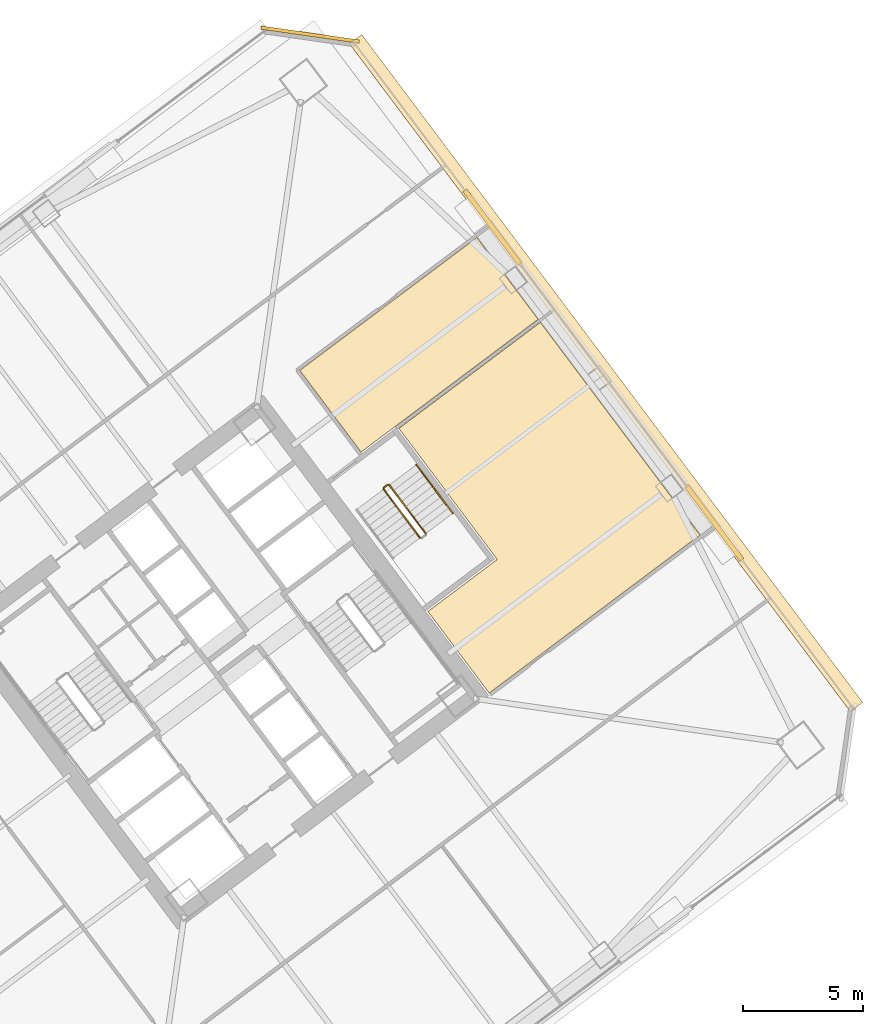
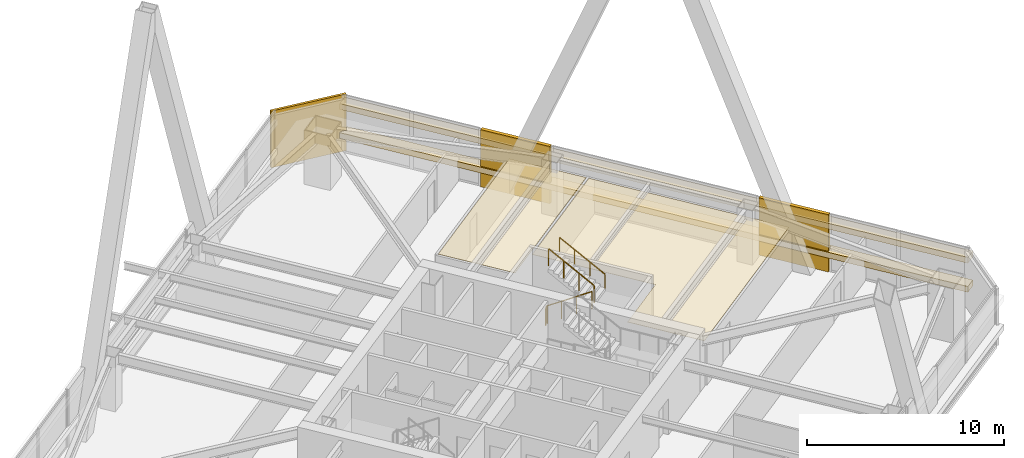
# One storey, part 54 of 54: 7 coverings, 4 railings.
"""IFC4 building model written with IfcOpenShell, lengths in metres."""

from ifc_helpers import new_model, si_unit, direction, frame, origin, origin_2d, place, context, subcontext, project, spatial, polyline, rectangle, outline, extrude, material, layer, layer_set, type_object, element, save


model = new_model("IFC4")

# Units and contexts
model_context = context("Model", 3, precision=1e-05, world=origin(), true_north=direction((0.0, 1.0)))
body_context = subcontext(model_context, "Body", "Model", "MODEL_VIEW")
ifc_project = project(units=[si_unit("LENGTHUNIT", "METRE"), si_unit("AREAUNIT", "SQUARE_METRE"), si_unit("VOLUMEUNIT", "CUBIC_METRE"), si_unit("PLANEANGLEUNIT", "RADIAN"), si_unit("MASSUNIT", "GRAM", prefix="KILO")], contexts=[model_context])

# Site, building, storey
site_placement = place(None, origin())
site = spatial("IfcSite", under=ifc_project, at=site_placement, CompositionType="ELEMENT")
building_placement = place(site_placement, origin())
building = spatial("IfcBuilding", under=site, at=building_placement, Name="Tashvorn Skyway Center", CompositionType="ELEMENT")
storey_placement = place(building_placement, frame((0.0, 0.0, 88.5)))
storey = spatial("IfcBuildingStorey", under=building, at=storey_placement, Name="L23", CompositionType="ELEMENT", Elevation=88.5)

# Coverings
ifc_material_1 = material(Name="Precast concrete C40/50", Category="concrete")
ifc_layer_1 = layer(ifc_material_1, 0.199951171875)
ifc_layer_set_1 = layer_set([ifc_layer_1], Name="Precast concrete C40/50")
covering_type_1 = type_object("IfcCoveringType", Name="COV-BRACE-CLAD", PredefinedType="CLADDING", material=ifc_layer_set_1)
for number, where, z_axis, x_axis, name in (
    (1, (125.2958984375, 50.072021484375, 0.0), (0.0, 0.0, 1.0), (0.600000004945, -0.799999996291, 0.0), "Tower 2 L23 East Unitised Curtain Wall Mega-Brace Cladding Band 1"),
    (2, (134.511962890625, 37.783935546875, 0.0), (0.0, 0.0, 1.0), (0.600000004945, -0.799999996291, 0.0), "Tower 2 L23 East Unitised Curtain Wall Mega-Brace Cladding Band 2"),
):
    element("IfcCovering", number, at=place(storey_placement, frame(where, z_axis=z_axis, x_axis=x_axis)), inside=storey, type_object=covering_type_1, Name=name, PredefinedType="CLADDING", context=body_context, shape_type="SweptSolid", body=[
        extrude(rectangle(XDim=3.840087890625, YDim=0.199951171875, at=origin_2d()), origin(), (0.0, 0.0, 1.0), 3.550048828125),
    ])
ifc_material_2 = material(Name="Mineral-fibre acoustic ceiling tile on suspended grid")
ifc_layer_2 = layer(ifc_material_2, 0.02001953125)
ifc_layer_set_2 = layer_set([ifc_layer_2], Name="Mineral-fibre acoustic ceiling tile on suspended grid")
covering_type_2 = type_object("IfcCoveringType", Name="COV-CEIL-20", PredefinedType="CEILING", material=ifc_layer_set_2)
covering_1_placement = place(storey_placement, frame((0.0, 0.0, 2.68310546875)))
element("IfcCovering", 3, at=covering_1_placement, inside=storey, type_object=covering_type_2, Name="Tower 2 L23 Operations Control Room Acoustic Ceiling", PredefinedType="CEILING", context=body_context, shape_type="SweptSolid", body=[
    extrude(outline(polyline([(119.840087890625, 40.72998046875), (117.2958984375, 44.1220703125), (124.64794921875, 49.635986328125), (127.19189453125, 46.243896484375), (119.840087890625, 40.72998046875)])), origin(), (0.0, 0.0, 1.0), 0.019775390625),
])
covering_2_placement = place(storey_placement, frame((0.0, 0.0, 2.68310546875)))
element("IfcCovering", 4, at=covering_2_placement, inside=storey, type_object=covering_type_2, Name="Tower 2 L23 Public Restroom Acoustic Ceiling", PredefinedType="CEILING", context=body_context, shape_type="SweptSolid", body=[
    extrude(outline(polyline([(125.159912109375, 30.719970703125), (122.615966796875, 34.112060546875), (125.49609375, 36.27197265625), (121.416015625, 41.7119140625), (127.2880859375, 46.115966796875), (131.367919921875, 40.676025390625), (133.912109375, 37.283935546875), (125.159912109375, 30.719970703125)])), origin(), (0.0, 0.0, 1.0), 0.019775390625),
])
ifc_material_3 = material(Name="Perforated ceramic-coated bronze aluminium solar screen", Category="aluminium")
ifc_layer_3 = layer(ifc_material_3, 0.85009765625)
ifc_layer_set_3 = layer_set([ifc_layer_3], Name="Perforated ceramic-coated bronze aluminium solar screen")
covering_type_3 = type_object("IfcCoveringType", Name="COV-SOLAR-BAND", PredefinedType="CLADDING", material=ifc_layer_set_3)
for number, where, z_axis, x_axis, name in (
    (5, (130.01611328125, 44.011962890625, 0.919921875), (0.0, 0.0, 1.0), (0.600000004945, -0.799999996291, 0.0), "L23 Perforated Ceramic-Metal Solar Screen Louvre Band East 1"),
    (6, (130.01611328125, 44.011962890625, 2.7197265625), (0.0, 0.0, 1.0), (0.600000004945, -0.799999996291, 0.0), "L23 Perforated Ceramic-Metal Solar Screen Louvre Band East 2"),
):
    element("IfcCovering", number, at=place(storey_placement, frame(where, z_axis=z_axis, x_axis=x_axis)), inside=storey, type_object=covering_type_3, Name=name, PredefinedType="CLADDING", context=body_context, shape_type="SweptSolid", body=[
        extrude(rectangle(XDim=34.679931640625, YDim=0.639892578125, at=origin_2d()), origin(), (0.0, 0.0, 1.0), 0.360107421875),
    ])
ifc_layer_4 = layer(ifc_material_1, 0.35009765625)
ifc_layer_set_4 = layer_set([ifc_layer_4], Name="Precast concrete C40/50")
covering_type_4 = type_object("IfcCoveringType", Name="COV-STONE-TRIM", PredefinedType="CLADDING", material=ifc_layer_set_4)
covering_3_placement = place(storey_placement, frame((117.72412109375, 58.068115234375, 0.02001953125), z_axis=(0.0, 0.0, 1.0), x_axis=(0.989949494535, -0.141421350118, 0.0)))
element("IfcCovering", 7, at=covering_3_placement, inside=storey, type_object=covering_type_4, Name="Tower 2 L23 NE Mojave Limestone Corner Quoin", PredefinedType="CLADDING", context=body_context, shape_type="SweptSolid", body=[
    extrude(rectangle(XDim=4.119873046875, YDim=0.139892578125, at=origin_2d()), origin(), (0.0, 0.0, 1.0), 3.510009765625),
])

# Railings
ifc_material_4 = material(Name="Brushed stainless steel 316", Category="steel")
railing_type_1 = type_object("IfcRailingType", Name="RAIL-HAND-920", PredefinedType="HANDRAIL", material=ifc_material_4)
railing_1_placement = place(storey_placement, frame((123.64794921875, 38.18603515625, 1.952392578125)))
element("IfcRailing", 8, at=railing_1_placement, inside=storey, type_object=railing_type_1, Name="L23 ST-T2-3 stair handrail 2", PredefinedType="HANDRAIL", context=body_context, shape_type="SweptSolid", body=[
    extrude(rectangle(XDim=0.048095703125, YDim=0.048095703125, at=origin_2d()), frame((0.0, 0.0, 0.8759765625), z_axis=(-0.50674661542, 0.675634878657, 0.535467439255), x_axis=(-0.79998837352, -0.60001550166, 0.0)), (0.0, 0.0, 1.0), 2.983642578125),
    extrude(rectangle(XDim=0.0419921875, YDim=0.0419921875, at=origin_2d()), origin(), (0.0, 0.0, 1.0), 0.851806640625),
    extrude(rectangle(XDim=0.0419921875, YDim=0.0419921875, at=origin_2d()), frame((-0.50390625, 0.671875, 0.532470703125)), (0.0, 0.0, 1.0), 0.851806640625),
    extrude(rectangle(XDim=0.0419921875, YDim=0.0419921875, at=origin_2d()), frame((-1.008056640625, 1.343994140625, 1.065185546875)), (0.0, 0.0, 1.0), 0.851806640625),
    extrude(rectangle(XDim=0.0419921875, YDim=0.0419921875, at=origin_2d()), frame((-1.511962890625, 2.015869140625, 1.59765625)), (0.0, 0.0, 1.0), 0.851806640625),
])
ifc_material_5 = material(Name="Painted galvanized steel S355", Category="steel")
railing_type_2 = type_object("IfcRailingType", Name="RAIL-STGUARD-1100", PredefinedType="GUARDRAIL", material=ifc_material_5)
railing_2_placement = place(storey_placement, frame((120.77587890625, 39.181884765625, 0.177490234375)))
element("IfcRailing", 9, at=railing_2_placement, inside=storey, type_object=railing_type_2, Name="L23 ST-T2-3 stair guard 1", PredefinedType="GUARDRAIL", context=body_context, shape_type="SweptSolid", body=[
    extrude(rectangle(XDim=0.048095703125, YDim=0.048095703125, at=origin_2d()), frame((0.0, 0.0, 1.076171875), z_axis=(0.506829628838, -0.67563646195, 0.535386868177), x_axis=(0.799941867976, 0.600077501544, 0.0)), (0.0, 0.0, 1.0), 2.983642578125),
    extrude(rectangle(XDim=0.0419921875, YDim=0.0419921875, at=origin_2d()), origin(), (0.0, 0.0, 1.0), 1.052001953125),
    extrude(rectangle(XDim=0.0419921875, YDim=0.0419921875, at=origin_2d()), frame((0.504150390625, -0.671875, 0.532470703125)), (0.0, 0.0, 1.0), 1.052001953125),
    extrude(rectangle(XDim=0.0419921875, YDim=0.0419921875, at=origin_2d()), frame((1.008056640625, -1.343994140625, 1.06494140625)), (0.0, 0.0, 1.0), 1.052001953125),
    extrude(rectangle(XDim=0.0419921875, YDim=0.0419921875, at=origin_2d()), frame((1.51220703125, -2.015869140625, 1.597412109375)), (0.0, 0.0, 1.0), 1.052001953125),
])
railing_3_placement = place(storey_placement, frame((122.528076171875, 37.345947265625, 1.952392578125)))
element("IfcRailing", 10, at=railing_3_placement, inside=storey, type_object=railing_type_2, Name="L23 ST-T2-3 stair guard 3", PredefinedType="GUARDRAIL", context=body_context, shape_type="SweptSolid", body=[
    extrude(rectangle(XDim=0.048095703125, YDim=0.048095703125, at=origin_2d()), frame((0.0, 0.0, 1.076171875), z_axis=(-0.506718600913, 0.675679348675, 0.535437836974), x_axis=(-0.800023250257, -0.599968998406, 0.0)), (0.0, 0.0, 1.0), 2.98388671875),
    extrude(rectangle(XDim=0.0419921875, YDim=0.0419921875, at=origin_2d()), origin(), (0.0, 0.0, 1.0), 1.052001953125),
    extrude(rectangle(XDim=0.0419921875, YDim=0.0419921875, at=origin_2d()), frame((-0.50390625, 0.672119140625, 0.532470703125)), (0.0, 0.0, 1.0), 1.052001953125),
    extrude(rectangle(XDim=0.0419921875, YDim=0.0419921875, at=origin_2d()), frame((-1.008056640625, 1.343994140625, 1.065185546875)), (0.0, 0.0, 1.0), 1.052001953125),
    extrude(rectangle(XDim=0.0419921875, YDim=0.0419921875, at=origin_2d()), frame((-1.511962890625, 2.01611328125, 1.59765625)), (0.0, 0.0, 1.0), 1.052001953125),
])
railing_4_placement = place(storey_placement, frame((120.785888671875, 39.251953125, 0.0)))
element("IfcRailing", 11, at=railing_4_placement, inside=storey, type_object=railing_type_2, Name="L23 ST-T2-3 stair guard 4", PredefinedType="GUARDRAIL", context=body_context, shape_type="SweptSolid", body=[
    extrude(rectangle(XDim=0.048095703125, YDim=0.048095703125, at=origin_2d()), frame((0.0, 0.0, 1.076171875), z_axis=(0.8, 0.6, 0.0), x_axis=(-0.6, 0.8, 0.0)), (0.0, 0.0, 1.0), 0.2001953125),
    extrude(rectangle(XDim=0.0419921875, YDim=0.0419921875, at=origin_2d()), origin(), (0.0, 0.0, 1.0), 1.052001953125),
    extrude(rectangle(XDim=0.0419921875, YDim=0.0419921875, at=origin_2d()), frame((0.16015625, 0.1201171875, 0.0)), (0.0, 0.0, 1.0), 1.052001953125),
])

save(model, "model.ifc")
